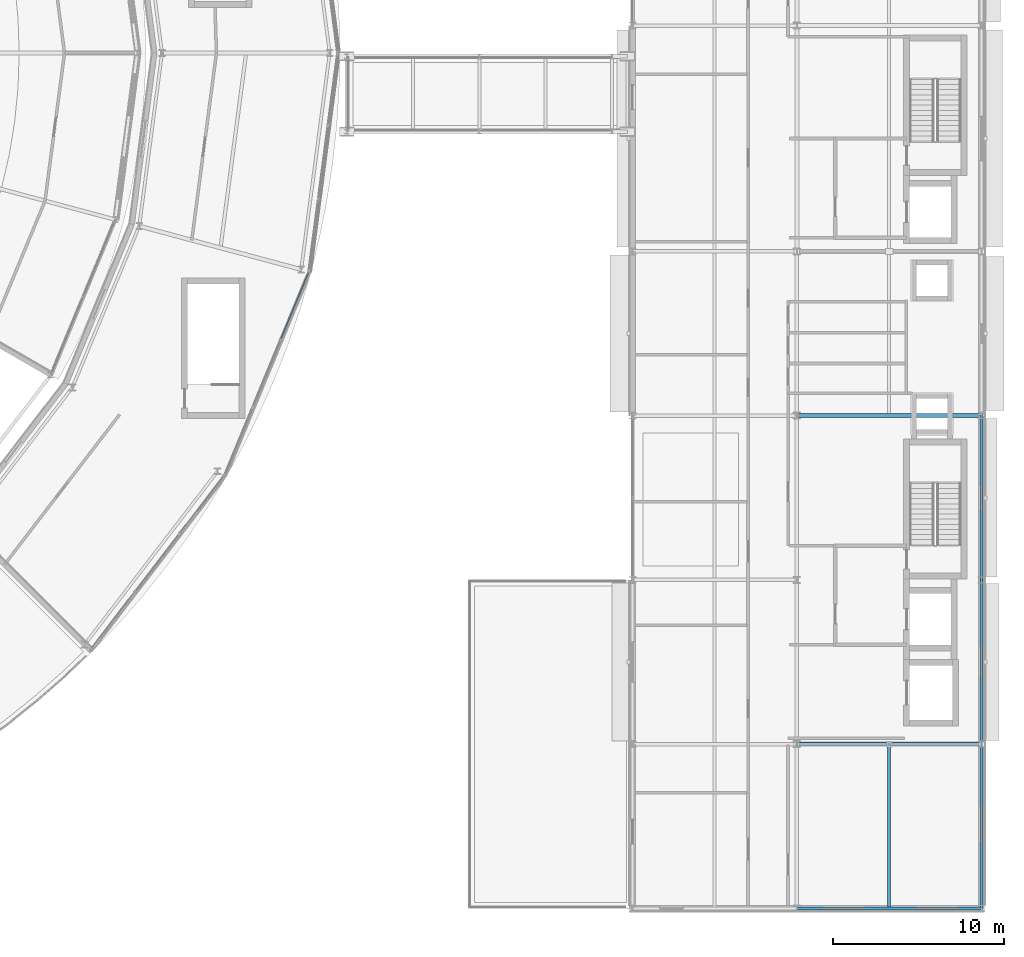
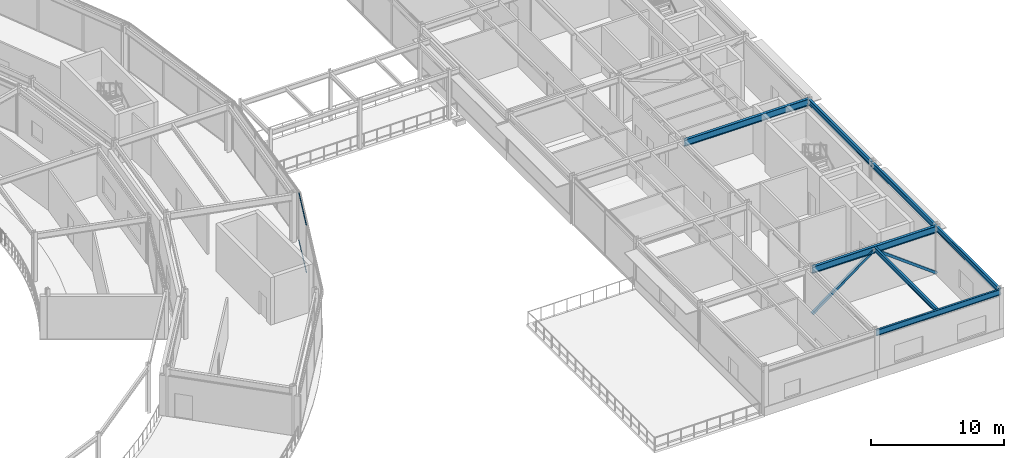
# One storey, part 93 of 157: 7 beams, 4 members, 1 element without a shape of its own.
"""IFC4 building model written with IfcOpenShell, lengths in metres."""

from ifc_helpers import new_model, si_unit, direction, frame, origin, origin_2d, place, context, subcontext, project, spatial, hollow_rectangle, i_section, extrude, material, material_profile, profile_set, type_object, element, aggregate, save


model = new_model("IFC4")

# Units and contexts
model_context = context("Model", 3, precision=1e-05, world=origin(), true_north=direction((0.0, 1.0)))
body_context = subcontext(model_context, "Body", "Model", "MODEL_VIEW")
ifc_project = project(units=[si_unit("LENGTHUNIT", "METRE"), si_unit("AREAUNIT", "SQUARE_METRE"), si_unit("VOLUMEUNIT", "CUBIC_METRE"), si_unit("PLANEANGLEUNIT", "RADIAN"), si_unit("MASSUNIT", "GRAM", prefix="KILO")], contexts=[model_context])

# Site, building, storey
site_placement = place(None, origin())
site = spatial("IfcSite", under=ifc_project, at=site_placement, CompositionType="ELEMENT")
building_placement = place(site_placement, origin())
building = spatial("IfcBuilding", under=site, at=building_placement, Name="Almandine Court Research Institute", CompositionType="ELEMENT")
storey_placement = place(building_placement, frame((0.0, 0.0, 5.25)))
storey = spatial("IfcBuildingStorey", under=building, at=storey_placement, Name="L01", CompositionType="ELEMENT", Elevation=5.25)

# Beams
ifc_material_1 = material(Name="Steel ASTM A992 Grade 50", Category="steel")
ifc_material_profile_1 = material_profile(ifc_material_1, i_section(OverallWidth=0.178955078125, OverallDepth=0.409912109375, WebThickness=0.009033203125, FlangeThickness=0.013916015625, at=origin_2d()), Name="W410x67")
ifc_profile_set_1 = profile_set([ifc_material_profile_1], Name="Steel ASTM A992 Grade 50")
beam_type_1 = type_object("IfcBeamType", Name="Beam-B-02", PredefinedType="JOIST", material=ifc_profile_set_1)
beam_1_placement = place(storey_placement, frame((168.60009765625, 6.0810546875, 4.1650390625), z_axis=(0.0, 1.0, 0.0), x_axis=(-1.0, 0.0, 0.0)))
element("IfcBeam", 1, at=beam_1_placement, inside=storey, type_object=beam_type_1, Name="L01 V4 Composite Secondary Beam", PredefinedType="JOIST", context=body_context, shape_type="SweptSolid", body=[
    extrude(i_section(OverallWidth=0.178955078125, OverallDepth=0.409912109375, WebThickness=0.009033203125, FlangeThickness=0.013916015625, at=origin_2d()), origin(), (0.0, 0.0, 1.0), 9.406005859375),
])
ifc_material_profile_2 = material_profile(ifc_material_1, i_section(OverallWidth=0.22998046875, OverallDepth=0.616943359375, WebThickness=0.012939453125, FlangeThickness=0.02197265625, at=origin_2d()), Name="W610x140")
ifc_profile_set_2 = profile_set([ifc_material_profile_2], Name="Steel ASTM A992 Grade 50")
beam_type_2 = type_object("IfcBeamType", Name="Beam-G-02", PredefinedType="BEAM", material=ifc_profile_set_2)
for number, where, z_axis, x_axis, name in (
    (2, (163.199951171875, 15.60009765625, 4.06103515625), (1.0, 0.0, 0.0), (0.0, 1.0, 0.0), "L01 V4 Primary X Girder"),
    (3, (163.199951171875, 34.800048828125, 4.06103515625), (1.0, 0.0, 0.0), (0.0, 1.0, 0.0), "L01 V4 Primary X Girder"),
):
    element("IfcBeam", number, at=place(storey_placement, frame(where, z_axis=z_axis, x_axis=x_axis)), inside=storey, type_object=beam_type_2, Name=name, PredefinedType="BEAM", context=body_context, shape_type="SweptSolid", body=[
        extrude(i_section(OverallWidth=0.22998046875, OverallDepth=0.616943359375, WebThickness=0.012939453125, FlangeThickness=0.02197265625, at=origin_2d()), origin(), (0.0, 0.0, 1.0), 10.800048828125),
    ])
ifc_material_profile_3 = material_profile(ifc_material_1, i_section(OverallWidth=0.166015625, OverallDepth=0.534912109375, WebThickness=0.010009765625, FlangeThickness=0.01708984375, at=origin_2d()), Name="W530x85")
ifc_profile_set_3 = profile_set([ifc_material_profile_3], Name="Steel ASTM A992 Grade 50")
beam_type_3 = type_object("IfcBeamType", Name="Beam-G-05-E", PredefinedType="SPANDREL", material=ifc_profile_set_3)
beam_2_placement = place(storey_placement, frame((163.199951171875, 6.0, 4.10205078125), z_axis=(1.0, 0.0, 0.0), x_axis=(0.0, 1.0, 0.0)))
element("IfcBeam", 4, at=beam_2_placement, inside=storey, type_object=beam_type_3, Name="L01 V4 Primary X Girder", PredefinedType="SPANDREL", context=body_context, shape_type="SweptSolid", body=[
    extrude(i_section(OverallWidth=0.166015625, OverallDepth=0.534912109375, WebThickness=0.010009765625, FlangeThickness=0.01708984375, at=origin_2d()), origin(), (0.0, 0.0, 1.0), 10.800048828125),
])
ifc_material_profile_4 = material_profile(ifc_material_1, i_section(OverallWidth=0.193115234375, OverallDepth=0.466064453125, WebThickness=0.010986328125, FlangeThickness=0.01904296875, at=origin_2d()), Name="W460x97")
ifc_profile_set_4 = profile_set([ifc_material_profile_4], Name="Steel ASTM A992 Grade 50")
beam_type_4 = type_object("IfcBeamType", Name="Beam-G-06-E", PredefinedType="SPANDREL", material=ifc_profile_set_4)
beam_3_placement = place(storey_placement, frame((174.0, 6.0, 4.136962890625), z_axis=(0.0, 1.0, 0.0), x_axis=(-1.0, 0.0, 0.0)))
element("IfcBeam", 5, at=beam_3_placement, inside=storey, type_object=beam_type_4, Name="L01 V4 Primary Y Girder", PredefinedType="SPANDREL", context=body_context, shape_type="SweptSolid", body=[
    extrude(i_section(OverallWidth=0.193115234375, OverallDepth=0.466064453125, WebThickness=0.010986328125, FlangeThickness=0.01904296875, at=origin_2d()), origin(), (0.0, 0.0, 1.0), 9.60009765625),
])
beam_4_placement = place(storey_placement, frame((174.0, 15.60009765625, 4.136962890625), z_axis=(0.0, 1.0, 0.0), x_axis=(-1.0, 0.0, 0.0)))
element("IfcBeam", 6, at=beam_4_placement, inside=storey, type_object=beam_type_4, Name="L01 V4 Primary Y Girder", PredefinedType="SPANDREL", context=body_context, shape_type="SweptSolid", body=[
    extrude(i_section(OverallWidth=0.193115234375, OverallDepth=0.466064453125, WebThickness=0.010986328125, FlangeThickness=0.01904296875, at=origin_2d()), origin(), (0.0, 0.0, 1.0), 9.599853515625),
])
beam_5_placement = place(storey_placement, frame((174.0, 25.199951171875, 4.136962890625), z_axis=(0.0, 1.0, 0.0), x_axis=(-1.0, 0.0, 0.0)))
element("IfcBeam", 7, at=beam_5_placement, inside=storey, type_object=beam_type_4, Name="L01 V4 Primary Y Girder", PredefinedType="SPANDREL", context=body_context, shape_type="SweptSolid", body=[
    extrude(i_section(OverallWidth=0.193115234375, OverallDepth=0.466064453125, WebThickness=0.010986328125, FlangeThickness=0.01904296875, at=origin_2d()), origin(), (0.0, 0.0, 1.0), 9.60009765625),
])

# Curtain wall, members
ifc_material_2 = material(Name="Unitised Curtain Wall Framing and Solar Glazing", Category="glass")
curtain_wall_type = type_object("IfcCurtainWallType", Name="CW-CWJ-19", PredefinedType="USERDEFINED", material=ifc_material_2)
curtain_wall_placement = place(storey_placement, origin())
curtain_wall = element("IfcCurtainWall", 8, at=curtain_wall_placement, inside=storey, type_object=curtain_wall_type, Name="L01 Stacked-Ring Drum Outer Solar Jali Screen 22", ObjectType="SOLAR JALI SCREEN", PredefinedType="USERDEFINED")
ifc_material_3 = material(Name="Anodised Aluminium AW-6063-T6", Category="aluminium")
ifc_material_profile_5 = material_profile(ifc_material_3, hollow_rectangle(XDim=0.06494140625, YDim=0.1298828125, WallThickness=0.00390625, at=origin_2d()), Name="ALU RHS 65x130x4")
ifc_profile_set_5 = profile_set([ifc_material_profile_5], Name="Anodised Aluminium AW-6063-T6")
member_type_1 = type_object("IfcMemberType", Name="CWTrn-65x130", PredefinedType="NOTDEFINED", material=ifc_profile_set_5)
member_1_placement = place(storey_placement, frame((134.652099609375, 43.160888671875, 0.032470703125), z_axis=(-0.382631051398, -0.923901227679, 0.0), x_axis=(0.923901227679, -0.382631051398, 0.0)))
member_1 = element("IfcMember", 9, at=member_1_placement, type_object=member_type_1, Name="CWJ-19 transom 1.1", ObjectType="TRANSOM", PredefinedType="USERDEFINED", context=body_context, shape_type="SweptSolid", body=[
    extrude(hollow_rectangle(XDim=0.06494140625, YDim=0.1298828125, WallThickness=0.00390625, at=origin_2d()), origin(), (0.0, 0.0, 1.0), 4.1953125),
])
member_2_placement = place(storey_placement, frame((134.652099609375, 43.160888671875, 4.33740234375), z_axis=(-0.382631051398, -0.923901227679, 0.0), x_axis=(0.923901227679, -0.382631051398, 0.0)))
member_2 = element("IfcMember", 10, at=member_2_placement, type_object=member_type_1, Name="CWJ-19 transom 1.2", ObjectType="TRANSOM", PredefinedType="USERDEFINED", context=body_context, shape_type="SweptSolid", body=[
    extrude(hollow_rectangle(XDim=0.06494140625, YDim=0.1298828125, WallThickness=0.00390625, at=origin_2d()), origin(), (0.0, 0.0, 1.0), 4.1953125),
])
aggregate(curtain_wall, [member_1, member_2])

# Members
ifc_material_4 = material(Name="Steel ASTM A500 Grade C", Category="steel")
ifc_material_profile_6 = material_profile(ifc_material_4, hollow_rectangle(XDim=0.219970703125, YDim=0.219970703125, WallThickness=0.010009765625, at=origin_2d()), Name="HSS 220x220x10")
ifc_profile_set_6 = profile_set([ifc_material_profile_6], Name="Steel ASTM A500 Grade C")
member_type_2 = type_object("IfcMemberType", Name="Mem-BF-BR1", PredefinedType="BRACE", material=ifc_profile_set_6)
for number, where, z_axis, x_axis, name in (
    (11, (163.199951171875, 15.60009765625, 0.02001953125), (0.801428188232, 0.0, 0.598091012394), (0.0, 1.0, 0.0), "L01 Seismic Chevron Brace V4-BF1 Left"),
    (12, (174.0, 15.60009765625, 0.02001953125), (-0.801415226812, 0.0, 0.598108380007), (0.0, -1.0, 0.0), "L01 Seismic Chevron Brace V4-BF1 Right"),
):
    element("IfcMember", number, at=place(storey_placement, frame(where, z_axis=z_axis, x_axis=x_axis)), inside=storey, type_object=member_type_2, Name=name, PredefinedType="BRACE", context=body_context, shape_type="SweptSolid", body=[
        extrude(hollow_rectangle(XDim=0.219970703125, YDim=0.219970703125, WallThickness=0.010009765625, at=origin_2d()), origin(), (0.0, 0.0, 1.0), 6.738037109375),
    ])

save(model, "model.ifc")
